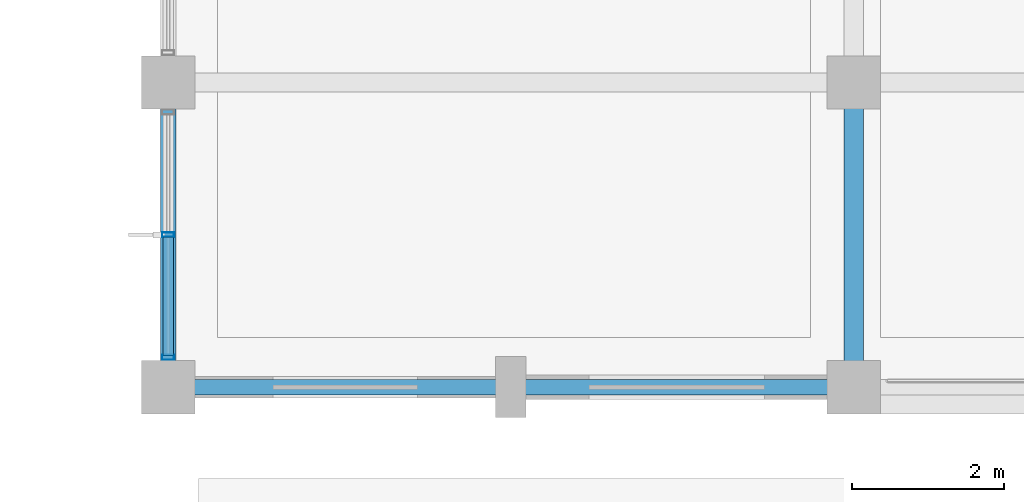
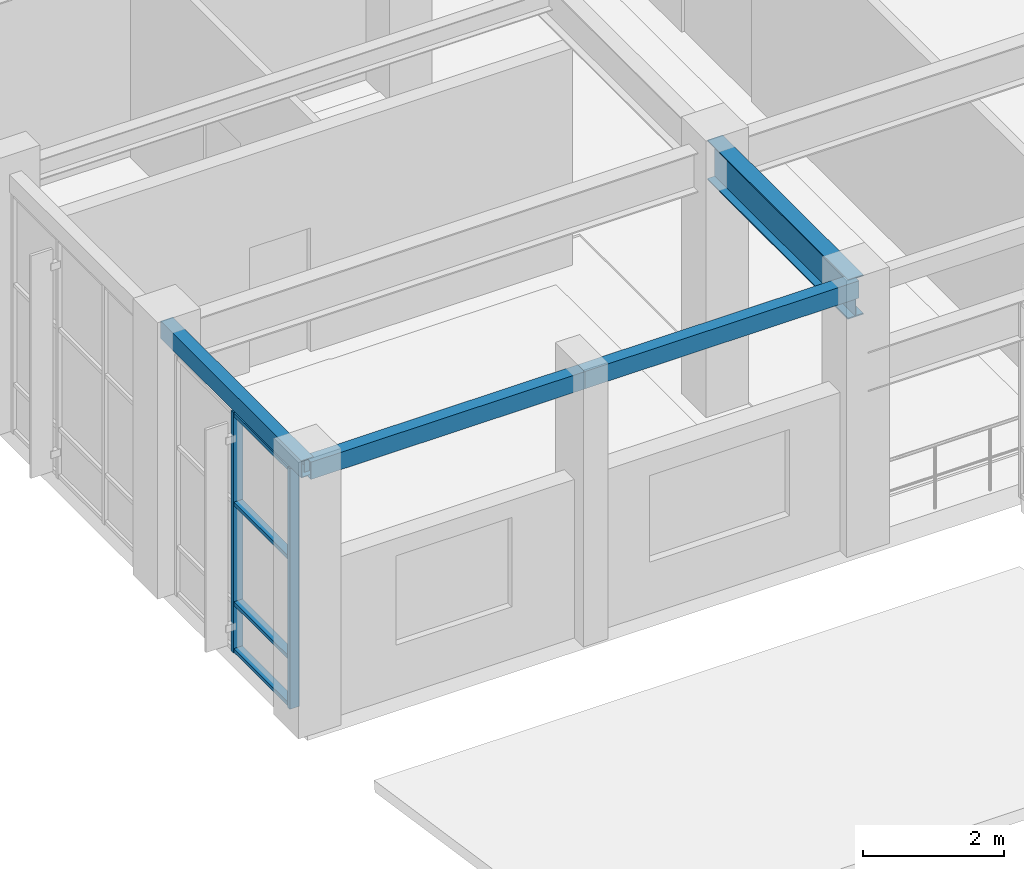
# One storey, part 15 of 104: 6 members, 4 beams, 1 element without a shape of its own.
"""IFC4 building model written with IfcOpenShell, lengths in metres."""

from ifc_helpers import new_model, si_unit, direction, frame, origin, origin_2d, place, context, subcontext, project, spatial, hollow_rectangle, i_section, extrude, material, layer, layer_set, material_profile, profile_set, type_object, element, aggregate, save


model = new_model("IFC4")

# Units and contexts
model_context = context("Model", 3, precision=1e-05, world=origin(), true_north=direction((0.0, 1.0)))
body_context = subcontext(model_context, "Body", "Model", "MODEL_VIEW")
ifc_project = project(units=[si_unit("LENGTHUNIT", "METRE"), si_unit("AREAUNIT", "SQUARE_METRE"), si_unit("VOLUMEUNIT", "CUBIC_METRE"), si_unit("PLANEANGLEUNIT", "RADIAN"), si_unit("MASSUNIT", "GRAM", prefix="KILO")], contexts=[model_context])

# Site, building, storey
site_placement = place(None, origin())
site = spatial("IfcSite", under=ifc_project, at=site_placement, CompositionType="ELEMENT")
building_placement = place(site_placement, origin())
building = spatial("IfcBuilding", under=site, at=building_placement, Name="Ventoquebrada Cableway Terminal", CompositionType="ELEMENT")
storey_placement = place(building_placement, frame((0.0, 0.0, 4.800048828125)))
storey = spatial("IfcBuildingStorey", under=building, at=storey_placement, Name="L01", CompositionType="ELEMENT", Elevation=4.800048828125)

# Beam
ifc_material_1 = material(Name="Steel ASTM A992 Grade 50", Category="steel")
ifc_material_profile_1 = material_profile(ifc_material_1, i_section(OverallWidth=0.25390625, OverallDepth=0.68798828125, WebThickness=0.01318359375, FlangeThickness=0.02099609375, at=origin_2d()), Name="W27X102")
ifc_profile_set_1 = profile_set([ifc_material_profile_1], Name="Steel ASTM A992 Grade 50")
beam_type_1 = type_object("IfcBeamType", Name="BM-ST04", PredefinedType="BEAM", material=ifc_profile_set_1)
beam_1_placement = place(storey_placement, frame((17.199951171875, 64.0, 4.18603515625), z_axis=(0.0, 1.0, 0.0), x_axis=(-1.0, 0.0, 0.0)))
element("IfcBeam", 1, at=beam_1_placement, inside=storey, type_object=beam_type_1, Name="Primary frame girder FBM-0415", PredefinedType="BEAM", context=body_context, shape_type="SweptSolid", body=[
    extrude(i_section(OverallWidth=0.25390625, OverallDepth=0.68798828125, WebThickness=0.01318359375, FlangeThickness=0.02099609375, at=origin_2d()), origin(), (0.0, 0.0, 1.0), 4.0),
])

# Curtain wall, members
ifc_material_2 = material(Name="Anodized thermally-broken aluminium", Category="aluminium")
ifc_layer = layer(ifc_material_2, 0.159912109375)
ifc_layer_set = layer_set([ifc_layer], Name="Anodized thermally-broken aluminium")
curtain_wall_type = type_object("IfcCurtainWallType", Name="CW-T16", PredefinedType="USERDEFINED", material=ifc_layer_set)
curtain_wall_placement = place(storey_placement, origin())
curtain_wall = element("IfcCurtainWall", 2, at=curtain_wall_placement, inside=storey, type_object=curtain_wall_type, Name="Unitised glazed curtain wall CW-033", ObjectType="UNITISED CURTAIN WALL", PredefinedType="USERDEFINED")
ifc_material_profile_2 = material_profile(ifc_material_2, hollow_rectangle(XDim=0.06494140625, YDim=0.159912109375, WallThickness=0.00390625, at=origin_2d()), Name="CW-MUL-65X160")
ifc_profile_set_2 = profile_set([ifc_material_profile_2], Name="Anodized thermally-broken aluminium")
member_type_1 = type_object("IfcMemberType", Name="CWM-01", PredefinedType="MULLION", material=ifc_profile_set_2)
member_1_placement = place(storey_placement, frame((8.199951171875, 66.0, -0.008056640625), z_axis=(0.0, 0.0, 1.0), x_axis=(0.0, -1.0, 0.0)))
member_1 = element("IfcMember", 3, at=member_1_placement, type_object=member_type_1, Name="Curtain wall mullion FML-0152", PredefinedType="MULLION", context=body_context, shape_type="SweptSolid", body=[
    extrude(hollow_rectangle(XDim=0.06494140625, YDim=0.159912109375, WallThickness=0.00390625, at=origin_2d()), origin(), (0.0, 0.0, 1.0), 4.173095703125),
])
member_2_placement = place(storey_placement, frame((8.199951171875, 64.389892578125, -0.008056640625), z_axis=(0.0, 0.0, 1.0), x_axis=(0.0, -1.0, 0.0)))
member_2 = element("IfcMember", 4, at=member_2_placement, type_object=member_type_1, Name="Curtain wall mullion FML-0153", PredefinedType="MULLION", context=body_context, shape_type="SweptSolid", body=[
    extrude(hollow_rectangle(XDim=0.06494140625, YDim=0.159912109375, WallThickness=0.00390625, at=origin_2d()), origin(), (0.0, 0.0, 1.0), 4.173095703125),
])
ifc_material_profile_3 = material_profile(ifc_material_2, hollow_rectangle(XDim=0.06494140625, YDim=0.139892578125, WallThickness=0.00390625, at=origin_2d()), Name="CW-TRN-65X140")
ifc_profile_set_3 = profile_set([ifc_material_profile_3], Name="Anodized thermally-broken aluminium")
member_type_2 = type_object("IfcMemberType", Name="CWT-01", PredefinedType="USERDEFINED", material=ifc_profile_set_3)
member_3_placement = place(storey_placement, frame((8.199951171875, 65.971923828125, 0.034912109375), z_axis=(0.0, -1.0, 0.0), x_axis=(0.0, 0.0, 1.0)))
member_3 = element("IfcMember", 5, at=member_3_placement, type_object=member_type_2, Name="Curtain wall transom FTR-0455", ObjectType="TRANSOM", PredefinedType="USERDEFINED", context=body_context, shape_type="SweptSolid", body=[
    extrude(hollow_rectangle(XDim=0.06494140625, YDim=0.139892578125, WallThickness=0.00390625, at=origin_2d()), origin(), (0.0, 0.0, 1.0), 1.553955078125),
])
member_4_placement = place(storey_placement, frame((8.199951171875, 65.971923828125, 0.849853515625), z_axis=(0.0, -1.0, 0.0), x_axis=(0.0, 0.0, 1.0)))
member_4 = element("IfcMember", 6, at=member_4_placement, type_object=member_type_2, Name="Curtain wall transom FTR-0456", ObjectType="TRANSOM", PredefinedType="USERDEFINED", context=body_context, shape_type="SweptSolid", body=[
    extrude(hollow_rectangle(XDim=0.06494140625, YDim=0.139892578125, WallThickness=0.00390625, at=origin_2d()), origin(), (0.0, 0.0, 1.0), 1.553955078125),
])
member_5_placement = place(storey_placement, frame((8.199951171875, 65.971923828125, 2.578857421875), z_axis=(0.0, -1.0, 0.0), x_axis=(0.0, 0.0, 1.0)))
member_5 = element("IfcMember", 7, at=member_5_placement, type_object=member_type_2, Name="Curtain wall transom FTR-0457", ObjectType="TRANSOM", PredefinedType="USERDEFINED", context=body_context, shape_type="SweptSolid", body=[
    extrude(hollow_rectangle(XDim=0.06494140625, YDim=0.139892578125, WallThickness=0.00390625, at=origin_2d()), origin(), (0.0, 0.0, 1.0), 1.553955078125),
])
member_6_placement = place(storey_placement, frame((8.199951171875, 65.971923828125, 4.125), z_axis=(0.0, -1.0, 0.0), x_axis=(0.0, 0.0, 1.0)))
member_6 = element("IfcMember", 8, at=member_6_placement, type_object=member_type_2, Name="Curtain wall transom FTR-0458", ObjectType="TRANSOM", PredefinedType="USERDEFINED", context=body_context, shape_type="SweptSolid", body=[
    extrude(hollow_rectangle(XDim=0.06494140625, YDim=0.139892578125, WallThickness=0.00390625, at=origin_2d()), origin(), (0.0, 0.0, 1.0), 1.553955078125),
])
aggregate(curtain_wall, [member_1, member_2, member_3, member_4, member_5, member_6])

# Beams
ifc_material_3 = material(Name="Steel ASTM A500 Grade C", Category="steel")
ifc_material_profile_4 = material_profile(ifc_material_3, hollow_rectangle(XDim=0.199951171875, YDim=0.300048828125, WallThickness=0.012451171875, at=origin_2d()), Name="RHS300X200X12.5")
ifc_profile_set_4 = profile_set([ifc_material_profile_4], Name="Steel ASTM A500 Grade C")
beam_type_2 = type_object("IfcBeamType", Name="SP-ST02", PredefinedType="SPANDREL", material=ifc_profile_set_4)
for number, where, z_axis, x_axis, name in (
    (9, (8.199951171875, 64.0, 4.3798828125), (1.0, 0.0, 0.0), (0.0, 1.0, 0.0), "Perimeter spandrel beam FBM-0377"),
    (10, (12.699951171875, 64.0, 4.3798828125), (1.0, 0.0, 0.0), (0.0, 1.0, 0.0), "Perimeter spandrel beam FBM-0378"),
):
    element("IfcBeam", number, at=place(storey_placement, frame(where, z_axis=z_axis, x_axis=x_axis)), inside=storey, type_object=beam_type_2, Name=name, PredefinedType="SPANDREL", context=body_context, shape_type="SweptSolid", body=[
        extrude(hollow_rectangle(XDim=0.199951171875, YDim=0.300048828125, WallThickness=0.012451171875, at=origin_2d()), origin(), (0.0, 0.0, 1.0), 4.5),
    ])
beam_2_placement = place(storey_placement, frame((8.199951171875, 64.0, 4.3798828125), z_axis=(0.0, 1.0, 0.0), x_axis=(-1.0, 0.0, 0.0)))
element("IfcBeam", 11, at=beam_2_placement, inside=storey, type_object=beam_type_2, Name="Perimeter spandrel beam FBM-0404", PredefinedType="SPANDREL", context=body_context, shape_type="SweptSolid", body=[
    extrude(hollow_rectangle(XDim=0.199951171875, YDim=0.300048828125, WallThickness=0.012451171875, at=origin_2d()), origin(), (0.0, 0.0, 1.0), 4.0),
])

save(model, "model.ifc")
